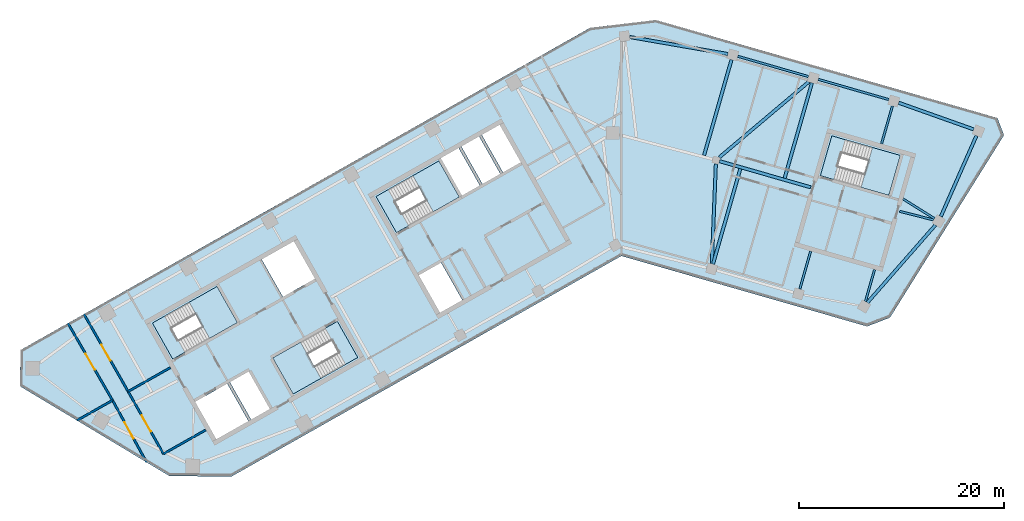
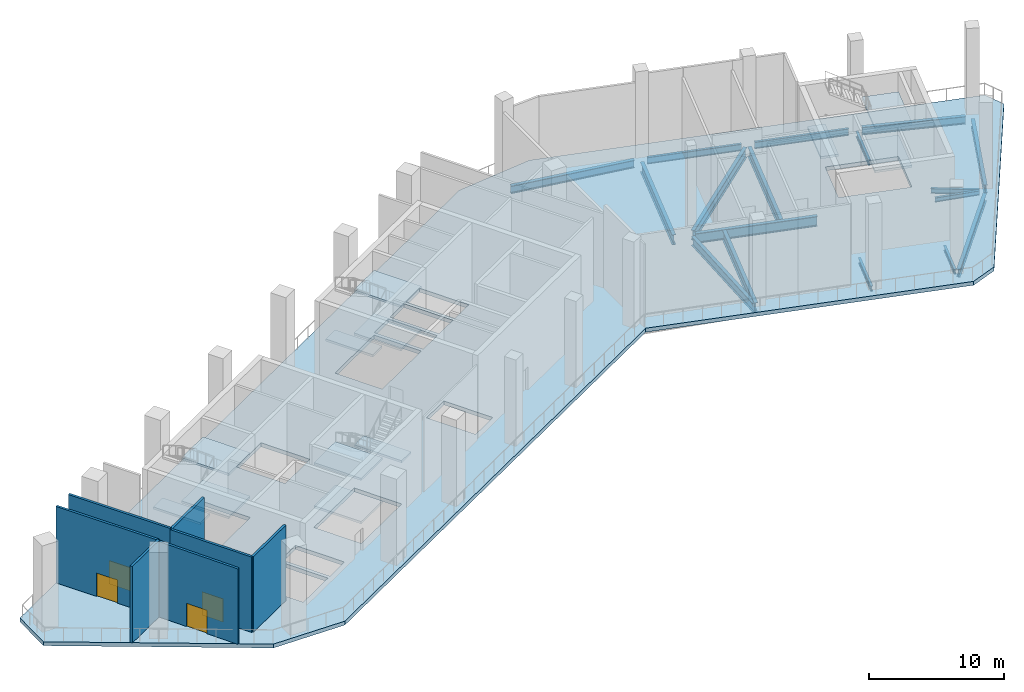
# One storey, part 2 of 8: 17 beams, 13 slabs, 7 walls, 4 doors, 4 openings, 4 elements without a shape of their own.
"""IFC4 building model written with IfcOpenShell, lengths in metres."""

import ifcopenshell
import ifcopenshell.guid

model = None  # the IFC model being written
_history = None  # IfcOwnerHistory: only IFC2X3 demands one
_inside = {}  # id of a spatial element -> (the spatial element, [elements in it])
_under = {}  # id of a project, library or spatial element -> (it, [spatial elements below it])
_declared = {}  # id of a project -> (the project, [libraries it declares])
_typed = {}  # id of a type object -> (the type object, [elements of that type])
_made_of = {}  # id of a material, layer set ... -> (it, [elements and type objects made of it])


def new_model(schema):
    """Start an empty IFC model of exactly this schema.

    Asked for "IFC4X3", IfcOpenShell would pick the latest addendum, in which some entities
    have other attributes; the version numbers below select the first issue.
    IFC2X3 requires an IfcOwnerHistory on every rooted entity: one is made here for all.
    """
    global model, _history
    if schema == "IFC4X3":
        model = ifcopenshell.file(schema_version=(4, 3, 0, 0))
    else:
        model = ifcopenshell.file(schema=schema)
    _inside.clear()
    _under.clear()
    _declared.clear()
    _typed.clear()
    _made_of.clear()
    _history = None
    if model.schema == "IFC2X3":
        org = make("IfcOrganization", Name="unknown")
        user = make(
            "IfcPersonAndOrganization",
            ThePerson=make("IfcPerson", FamilyName="unknown"),
            TheOrganization=org,
        )
        app = make(
            "IfcApplication",
            ApplicationDeveloper=org,
            Version="unknown",
            ApplicationFullName="unknown",
            ApplicationIdentifier="unknown",
        )
        _history = make(
            "IfcOwnerHistory",
            OwningUser=user,
            OwningApplication=app,
            ChangeAction="ADDED",
            CreationDate=0,
        )
    return model


def make(cls, **values):
    """One entity of the class cls with the attributes given. An attribute that is None is left unset."""
    return model.create_entity(
        cls, **{name: value for name, value in values.items() if value is not None}
    )


def rooted(cls, **values):
    """An entity with a GlobalId (a new one), such as an element, a storey or a relation."""
    return make(cls, GlobalId=ifcopenshell.guid.new(), OwnerHistory=_history, **values)


def si_unit(unit_type, name, prefix=None):
    """IfcSIUnit, for example si_unit("LENGTHUNIT", "METRE", prefix="MILLI")."""
    return make("IfcSIUnit", UnitType=unit_type, Prefix=prefix, Name=name)


def assignment(units):
    """IfcUnitAssignment: the units of a project."""
    return None if units is None else make("IfcUnitAssignment", Units=units)


def point(xyz):
    """IfcCartesianPoint."""
    return None if xyz is None else make("IfcCartesianPoint", Coordinates=xyz)


def direction(xyz):
    """IfcDirection."""
    return None if xyz is None else make("IfcDirection", DirectionRatios=xyz)


def frame(location, z_axis=None, x_axis=None):
    """IfcAxis2Placement3D, a coordinate frame: its origin and axes. An axis left out is left unset."""
    return make(
        "IfcAxis2Placement3D",
        Location=point(location),
        Axis=direction(z_axis),
        RefDirection=direction(x_axis),
    )


def frame_2d(location, x_axis=None):
    """IfcAxis2Placement2D, a coordinate frame in the plane: its origin and x axis."""
    return make(
        "IfcAxis2Placement2D", Location=point(location), RefDirection=direction(x_axis)
    )


def origin():
    """The frame at (0, 0, 0) with its axes left unset."""
    return frame((0.0, 0.0, 0.0))


def origin_2d():
    """The frame at (0, 0) in the plane with its x axis left unset."""
    return frame_2d((0.0, 0.0))


def place(relative_to, where):
    """IfcLocalPlacement: puts the frame where relative to a parent placement (None: the world)."""
    return make(
        "IfcLocalPlacement", PlacementRelTo=relative_to, RelativePlacement=where
    )


def context(
    kind, dimensions, precision=None, world=None, true_north=None, identifier=None
):
    """IfcGeometricRepresentationContext, for example the 3D "Model" context."""
    return make(
        "IfcGeometricRepresentationContext",
        ContextIdentifier=identifier,
        ContextType=kind,
        CoordinateSpaceDimension=dimensions,
        Precision=precision,
        WorldCoordinateSystem=world,
        TrueNorth=true_north,
    )


def subcontext(parent, identifier, kind, view, scale=None):
    """IfcGeometricRepresentationSubContext, for example "Body" below "Model"."""
    return make(
        "IfcGeometricRepresentationSubContext",
        ContextIdentifier=identifier,
        ContextType=kind,
        ParentContext=parent,
        TargetScale=scale,
        TargetView=view,
    )


def project(units=None, contexts=None):
    """IfcProject with its units and contexts."""
    return rooted(
        "IfcProject",
        Name="project",
        RepresentationContexts=contexts,
        UnitsInContext=assignment(units),
    )


def spatial(cls, under=None, at=None, **own):
    """A site, building, storey or space (cls), placed at a placement, below another one or the project."""
    s = rooted(cls, ObjectPlacement=at, **own)
    if under is not None:
        _under.setdefault(under.id(), (under, []))[1].append(s)
    return s


def polyline(points):
    """IfcPolyline through the points."""
    return make("IfcPolyline", Points=[point(p) for p in points])


def profile(cls, at=None, kind="AREA", **sizes):
    """A parametric profile (cls). Its sizes go by their IFC names, for example OverallWidth=200.0."""
    return make(cls, ProfileType=kind, Position=at, **sizes)


def rectangle(**sizes):
    """IfcRectangleProfileDef."""
    return profile("IfcRectangleProfileDef", **sizes)


def i_section(**sizes):
    """IfcIShapeProfileDef."""
    return profile("IfcIShapeProfileDef", **sizes)


def outline(outer, holes=None, kind="AREA"):
    """IfcArbitraryClosedProfileDef: a profile drawn as a closed curve; with holes, ...WithVoids."""
    if holes is None:
        return make("IfcArbitraryClosedProfileDef", ProfileType=kind, OuterCurve=outer)
    return make(
        "IfcArbitraryProfileDefWithVoids",
        ProfileType=kind,
        OuterCurve=outer,
        InnerCurves=holes,
    )


def extrude(swept, where, along, depth):
    """IfcExtrudedAreaSolid: the profile swept, set in the frame where, extruded along a direction by depth."""
    return make(
        "IfcExtrudedAreaSolid",
        SweptArea=swept,
        Position=where,
        ExtrudedDirection=direction(along),
        Depth=depth,
    )


def shape(context_of_items, identifier, shape_type, items):
    """IfcShapeRepresentation: the items that make up one representation, for example the "Body"."""
    return make(
        "IfcShapeRepresentation",
        ContextOfItems=context_of_items,
        RepresentationIdentifier=identifier,
        RepresentationType=shape_type,
        Items=items,
    )


def material(Name=None, Category=None):
    """IfcMaterial."""
    return make("IfcMaterial", Name=Name, Category=Category)


def layer(
    of_material, thickness, ventilated=None, Name=None, Category=None, Priority=None
):
    """IfcMaterialLayer: one layer of a wall or slab, of a material (None: an air gap)."""
    return make(
        "IfcMaterialLayer",
        Material=of_material,
        LayerThickness=thickness,
        IsVentilated=ventilated,
        Name=Name,
        Category=Category,
        Priority=Priority,
    )


def layer_set(layers, Name=None):
    """IfcMaterialLayerSet."""
    return make("IfcMaterialLayerSet", MaterialLayers=layers, LayerSetName=Name)


def material_profile(
    of_material, cross_section, Name=None, Category=None, Priority=None
):
    """IfcMaterialProfile: a cross section and its material."""
    return make(
        "IfcMaterialProfile",
        Name=Name,
        Material=of_material,
        Profile=cross_section,
        Priority=Priority,
        Category=Category,
    )


def profile_set(profiles, Name=None, composite=None):
    """IfcMaterialProfileSet."""
    return make(
        "IfcMaterialProfileSet",
        Name=Name,
        MaterialProfiles=profiles,
        CompositeProfile=composite,
    )


def made_of(thing, what):
    """Note that an element or type object is made of a material, layer set ...; save() writes the relation."""
    if what is not None:
        _made_of.setdefault(what.id(), (what, []))[1].append(thing)
    return thing


def type_object(cls, material=None, **own):
    """A type object (cls), such as IfcWallType, which elements share."""
    return made_of(rooted(cls, **own), material)


def element(
    cls,
    number,
    at=None,
    inside=None,
    cuts=None,
    type_object=None,
    material=None,
    context=None,
    identifier="Body",
    shape_type=None,
    held_by="IfcProductDefinitionShape",
    body=None,
    shapes=None,
    **own,
):
    """One element of the class cls, such as IfcWall. Its Tag is "e" and its number.

    at: its placement. inside: the storey or other place that contains it. cuts: it is an
    opening in that element (IfcRelVoidsElement). A single representation is given by context,
    identifier, shape_type and body (its items); several are given by shapes. held_by: the class
    of the entity that holds the representations. save() writes the other relations.
    """
    e = rooted(cls, Tag="e%d" % number, ObjectPlacement=at, **own)
    if body is not None:
        shapes = [shape(context, identifier, shape_type, body)]
    if shapes is not None:
        e.Representation = make(held_by, Representations=shapes)
    if inside is not None:
        _inside.setdefault(inside.id(), (inside, []))[1].append(e)
    if cuts is not None:
        rooted(
            "IfcRelVoidsElement", RelatingBuildingElement=cuts, RelatedOpeningElement=e
        )
    if type_object is not None:
        _typed.setdefault(type_object.id(), (type_object, []))[1].append(e)
    return made_of(e, material)


def fill(opening, filler):
    """IfcRelFillsElement: the door or window that sits in an opening."""
    return rooted(
        "IfcRelFillsElement",
        RelatingOpeningElement=opening,
        RelatedBuildingElement=filler,
    )


def aggregate(whole, parts):
    """IfcRelAggregates: a whole, such as a stair, and the parts it consists of."""
    return rooted("IfcRelAggregates", RelatingObject=whole, RelatedObjects=parts)


def save(model, path):
    """Write the relations noted so far, then the file.

    IfcRelAggregates (storeys below a building ...), IfcRelContainedInSpatialStructure (elements
    in a storey), IfcRelDefinesByType, IfcRelAssociatesMaterial and IfcRelDeclares: one each for
    every whole, place, type object, material and project.
    """
    for whole, parts in _under.values():
        aggregate(whole, parts)
    for where, things in _inside.values():
        rooted(
            "IfcRelContainedInSpatialStructure",
            RelatedElements=things,
            RelatingStructure=where,
        )
    for kind, things in _typed.values():
        rooted("IfcRelDefinesByType", RelatedObjects=things, RelatingType=kind)
    for what, things in _made_of.values():
        rooted("IfcRelAssociatesMaterial", RelatedObjects=things, RelatingMaterial=what)
    for by, libraries in _declared.values():
        rooted("IfcRelDeclares", RelatingContext=by, RelatedDefinitions=libraries)
    model.write(path)


model = new_model("IFC4")

# Units and contexts
model_context = context("Model", 3, precision=1e-05, world=origin(), true_north=direction((0.0, 1.0)))
body_context = subcontext(model_context, "Body", "Model", "MODEL_VIEW")
ifc_project = project(units=[si_unit("LENGTHUNIT", "METRE"), si_unit("AREAUNIT", "SQUARE_METRE"), si_unit("VOLUMEUNIT", "CUBIC_METRE"), si_unit("PLANEANGLEUNIT", "RADIAN"), si_unit("MASSUNIT", "GRAM", prefix="KILO")], contexts=[model_context])

# Site, building, storey
site_placement = place(None, origin())
site = spatial("IfcSite", under=ifc_project, at=site_placement, CompositionType="ELEMENT")
building_placement = place(site_placement, origin())
building = spatial("IfcBuilding", under=site, at=building_placement, Name="Binnacle Exchange Tower", CompositionType="ELEMENT")
storey_placement = place(building_placement, frame((0.0, 0.0, 230.89990234375)))
storey = spatial("IfcBuildingStorey", under=building, at=storey_placement, Name="L51", CompositionType="ELEMENT", Elevation=230.89990234375)

# Beams
ifc_material_1 = material(Name="Steel S355 (SHN355)", Category="steel")
ifc_material_profile_1 = material_profile(ifc_material_1, i_section(OverallWidth=0.201904296875, OverallDepth=0.612060546875, WebThickness=0.012939453125, FlangeThickness=0.02294921875, FilletRadius=0.02197265625, at=origin_2d()), Name="H 612x202x13x23")
ifc_profile_set_1 = profile_set([ifc_material_profile_1], Name="Steel S355 (SHN355)")
beam_type_1 = type_object("IfcBeamType", Name="Edge girder H 612x202x13x23 Steel S355 (SHN355)", PredefinedType="SPANDREL", material=ifc_profile_set_1)
beam_1_placement = place(storey_placement, frame((18.265625, 65.513916015625, -0.656005859375), z_axis=(-0.961255050864, 0.275660528891, 0.0), x_axis=(-0.275660528891, -0.961255050864, 0.0)))
element("IfcBeam", 1, at=beam_1_placement, inside=storey, type_object=beam_type_1, Name="S:BM:edge:L51:029", PredefinedType="SPANDREL", context=body_context, shape_type="SweptSolid", body=[
    extrude(i_section(OverallWidth=0.201904296875, OverallDepth=0.612060546875, WebThickness=0.012939453125, FlangeThickness=0.02294921875, FilletRadius=0.02197265625, at=origin_2d()), origin(), (0.0, 0.0, 1.0), 7.1728515625),
])
beam_2_placement = place(storey_placement, frame((26.1220703125, 63.26123046875, -0.656005859375), z_axis=(-0.96126665508, 0.275620060647, 0.0), x_axis=(-0.275620060647, -0.96126665508, 0.0)))
element("IfcBeam", 2, at=beam_2_placement, inside=storey, type_object=beam_type_1, Name="S:BM:edge:L51:031", PredefinedType="SPANDREL", context=body_context, shape_type="SweptSolid", body=[
    extrude(i_section(OverallWidth=0.201904296875, OverallDepth=0.612060546875, WebThickness=0.012939453125, FlangeThickness=0.02294921875, FilletRadius=0.02197265625, at=origin_2d()), origin(), (0.0, 0.0, 1.0), 7.173095703125),
])
ifc_material_profile_2 = material_profile(ifc_material_1, i_section(OverallWidth=0.300048828125, OverallDepth=0.699951171875, WebThickness=0.012939453125, FlangeThickness=0.02392578125, FilletRadius=0.028076171875, at=origin_2d()), Name="H 700x300x13x24")
ifc_profile_set_2 = profile_set([ifc_material_profile_2], Name="Steel S355 (SHN355)")
beam_type_2 = type_object("IfcBeamType", Name="Edge girder H 700x300x13x24 Steel S355 (SHN355)", PredefinedType="SPANDREL", material=ifc_profile_set_2)
beam_3_placement = place(storey_placement, frame((10.39453125, 67.71484375, -0.699951171875), z_axis=(-0.985315512383, 0.170743494921, 0.0), x_axis=(-0.170743494921, -0.985315512383, 0.0)))
element("IfcBeam", 3, at=beam_3_placement, inside=storey, type_object=beam_type_2, Name="S:BM:edge:L51:027", PredefinedType="SPANDREL", context=body_context, shape_type="SweptSolid", body=[
    extrude(i_section(OverallWidth=0.300048828125, OverallDepth=0.699951171875, WebThickness=0.012939453125, FlangeThickness=0.02392578125, FilletRadius=0.028076171875, at=origin_2d()), origin(), (0.0, 0.0, 1.0), 9.72314453125),
])
beam_4_placement = place(storey_placement, frame((31.193359375, 51.848388671875, -0.699951171875), z_axis=(0.403459457176, 0.914997522628, 0.0), x_axis=(-0.914997522628, 0.403459457176, 0.0)))
element("IfcBeam", 4, at=beam_4_placement, inside=storey, type_object=beam_type_2, Name="S:BM:edge:L51:032", PredefinedType="SPANDREL", context=body_context, shape_type="SweptSolid", body=[
    extrude(i_section(OverallWidth=0.300048828125, OverallDepth=0.699951171875, WebThickness=0.012939453125, FlangeThickness=0.02392578125, FilletRadius=0.028076171875, at=origin_2d()), origin(), (0.0, 0.0, 1.0), 8.61328125),
])
beam_5_placement = place(storey_placement, frame((34.3984375, 60.3544921875, -0.699951171875), z_axis=(-0.942323270608, 0.334704128553, 0.0), x_axis=(-0.334704128553, -0.942323270608, 0.0)))
element("IfcBeam", 5, at=beam_5_placement, inside=storey, type_object=beam_type_2, Name="S:BM:edge:L51:033", PredefinedType="SPANDREL", context=body_context, shape_type="SweptSolid", body=[
    extrude(i_section(OverallWidth=0.300048828125, OverallDepth=0.699951171875, WebThickness=0.012939453125, FlangeThickness=0.02392578125, FilletRadius=0.028076171875, at=origin_2d()), origin(), (0.0, 0.0, 1.0), 7.77197265625),
])
ifc_material_profile_3 = material_profile(ifc_material_1, i_section(OverallWidth=0.302001953125, OverallDepth=0.7080078125, WebThickness=0.014892578125, FlangeThickness=0.028076171875, FilletRadius=0.028076171875, at=origin_2d()), Name="H 708x302x15x28")
ifc_profile_set_3 = profile_set([ifc_material_profile_3], Name="Steel S355 (SHN355)")
beam_type_3 = type_object("IfcBeamType", Name="Edge girder H 708x302x15x28 Steel S355 (SHN355)", PredefinedType="SPANDREL", material=ifc_profile_set_3)
beam_6_placement = place(storey_placement, frame((24.026123046875, 43.44580078125, -0.703857421875), z_axis=(0.659336218273, 0.751848223562, 0.0), x_axis=(-0.751848223562, 0.659336218273, 0.0)))
element("IfcBeam", 6, at=beam_6_placement, inside=storey, type_object=beam_type_3, Name="S:BM:edge:L51:030", PredefinedType="SPANDREL", context=body_context, shape_type="SweptSolid", body=[
    extrude(i_section(OverallWidth=0.302001953125, OverallDepth=0.7080078125, WebThickness=0.014892578125, FlangeThickness=0.028076171875, FilletRadius=0.028076171875, at=origin_2d()), origin(), (0.0, 0.0, 1.0), 10.0546875),
])
ifc_material_profile_4 = material_profile(ifc_material_1, i_section(OverallWidth=0.199951171875, OverallDepth=0.449951171875, WebThickness=0.009033203125, FlangeThickness=0.013916015625, FilletRadius=0.01806640625, at=origin_2d()), Name="H 450x200x9x14")
ifc_profile_set_4 = profile_set([ifc_material_profile_4], Name="Steel S355 (SHN355)")
beam_type_4 = type_object("IfcBeamType", Name="Floor beam H 450x200x9x14 Steel S355 (SHN355)", PredefinedType="BEAM", material=ifc_profile_set_4)
beam_7_placement = place(storey_placement, frame((23.832275390625, 43.55810546875, -0.574951171875), z_axis=(0.275607869103, 0.961270150628, 0.0), x_axis=(-0.961270150628, 0.275607869103, 0.0)))
element("IfcBeam", 7, at=beam_7_placement, inside=storey, type_object=beam_type_4, Name="S:BM:cross:L51:051", PredefinedType="BEAM", context=body_context, shape_type="SweptSolid", body=[
    extrude(i_section(OverallWidth=0.199951171875, OverallDepth=0.449951171875, WebThickness=0.009033203125, FlangeThickness=0.013916015625, FilletRadius=0.01806640625, at=origin_2d()), origin(), (0.0, 0.0, 1.0), 3.23583984375),
])
beam_8_placement = place(storey_placement, frame((30.5654296875, 51.6513671875, -0.574951171875), z_axis=(-0.848078408173, 0.529870751779, 0.0), x_axis=(-0.529870751779, -0.848078408173, 0.0)))
element("IfcBeam", 8, at=beam_8_placement, inside=storey, type_object=beam_type_4, Name="S:BM:cross:L51:053", PredefinedType="BEAM", context=body_context, shape_type="SweptSolid", body=[
    extrude(i_section(OverallWidth=0.199951171875, OverallDepth=0.449951171875, WebThickness=0.009033203125, FlangeThickness=0.013916015625, FilletRadius=0.01806640625, at=origin_2d()), origin(), (0.0, 0.0, 1.0), 3.59521484375),
])
ifc_material_profile_5 = material_profile(ifc_material_1, i_section(OverallWidth=0.199951171875, OverallDepth=0.5, WebThickness=0.010009765625, FlangeThickness=0.01611328125, FilletRadius=0.02001953125, at=origin_2d()), Name="H 500x200x10x16")
ifc_profile_set_5 = profile_set([ifc_material_profile_5], Name="Steel S355 (SHN355)")
beam_type_5 = type_object("IfcBeamType", Name="Floor beam H 500x200x10x16 Steel S355 (SHN355)", PredefinedType="BEAM", material=ifc_profile_set_5)
for number, where, z_axis, x_axis, name in (
    (9, (17.426025390625, 44.771728515625, -0.599853515625), (0.27564586602, 0.961259255636, 0.0), (-0.961259255636, 0.27564586602, 0.0), "S:BM:cross:L51:049"),
    (10, (26.46484375, 62.642822265625, -0.599853515625), (-0.27564586602, -0.961259255636, 0.0), (0.961259255636, -0.27564586602, 0.0), "S:BM:cross:L51:052"),
):
    element("IfcBeam", number, at=place(storey_placement, frame(where, z_axis=z_axis, x_axis=x_axis)), inside=storey, type_object=beam_type_5, Name=name, PredefinedType="BEAM", context=body_context, shape_type="SweptSolid", body=[
        extrude(i_section(OverallWidth=0.199951171875, OverallDepth=0.5, WebThickness=0.010009765625, FlangeThickness=0.01611328125, FilletRadius=0.02001953125, at=origin_2d()), origin(), (0.0, 0.0, 1.0), 3.835205078125),
    ])
ifc_material_profile_6 = material_profile(ifc_material_1, i_section(OverallWidth=0.302001953125, OverallDepth=0.912109375, WebThickness=0.01806640625, FlangeThickness=0.033935546875, FilletRadius=0.028076171875, at=origin_2d()), Name="H 912x302x18x34")
ifc_profile_set_6 = profile_set([ifc_material_profile_6], Name="Steel S355 (SHN355)")
beam_type_6 = type_object("IfcBeamType", Name="Floor beam H 912x302x18x34 Steel S355 (SHN355)", PredefinedType="BEAM", material=ifc_profile_set_6)
beam_9_placement = place(storey_placement, frame((8.947265625, 47.202880859375, -0.805908203125), z_axis=(0.275643212873, 0.961260016435, 0.0), x_axis=(-0.961260016435, 0.275643212873, 0.0)))
element("IfcBeam", 11, at=beam_9_placement, inside=storey, type_object=beam_type_6, Name="S:BM:cross:L51:047", PredefinedType="BEAM", context=body_context, shape_type="SweptSolid", body=[
    extrude(i_section(OverallWidth=0.302001953125, OverallDepth=0.912109375, WebThickness=0.01806640625, FlangeThickness=0.033935546875, FilletRadius=0.028076171875, at=origin_2d()), origin(), (0.0, 0.0, 1.0), 9.685302734375),
])
beam_10_placement = place(storey_placement, frame((10.752197265625, 67.1484375, -0.805908203125), z_axis=(-0.275623948616, -0.96126554029, 0.0), x_axis=(0.96126554029, -0.275623948616, 0.0)))
element("IfcBeam", 12, at=beam_10_placement, inside=storey, type_object=beam_type_6, Name="S:BM:cross:L51:048", PredefinedType="BEAM", context=body_context, shape_type="SweptSolid", body=[
    extrude(i_section(OverallWidth=0.302001953125, OverallDepth=0.912109375, WebThickness=0.01806640625, FlangeThickness=0.033935546875, FilletRadius=0.028076171875, at=origin_2d()), origin(), (0.0, 0.0, 1.0), 9.71337890625),
])
beam_11_placement = place(storey_placement, frame((18.6083984375, 64.8955078125, -0.805908203125), z_axis=(-0.275626599208, -0.961264780281, 0.0), x_axis=(0.961264780281, -0.275626599208, 0.0)))
element("IfcBeam", 13, at=beam_11_placement, inside=storey, type_object=beam_type_6, Name="S:BM:cross:L51:050", PredefinedType="BEAM", context=body_context, shape_type="SweptSolid", body=[
    extrude(i_section(OverallWidth=0.302001953125, OverallDepth=0.912109375, WebThickness=0.01806640625, FlangeThickness=0.033935546875, FilletRadius=0.028076171875, at=origin_2d()), origin(), (0.0, 0.0, 1.0), 9.68505859375),
])
ifc_material_profile_7 = material_profile(ifc_material_1, i_section(OverallWidth=0.199951171875, OverallDepth=0.39990234375, WebThickness=0.008056640625, FlangeThickness=0.012939453125, FilletRadius=0.01611328125, at=origin_2d()), Name="H 400x200x8x13")
ifc_profile_set_7 = profile_set([ifc_material_profile_7], Name="Steel S355 (SHN355)")
beam_type_7 = type_object("IfcBeamType", Name="Spine girder H 400x200x8x13 Steel S355 (SHN355)", PredefinedType="BEAM", material=ifc_profile_set_7)
beam_12_placement = place(storey_placement, frame((27.17138671875, 52.35400390625, -0.5498046875), z_axis=(0.969354959992, -0.245664326957, 0.0), x_axis=(0.245664326957, 0.969354959992, 0.0)))
element("IfcBeam", 14, at=beam_12_placement, inside=storey, type_object=beam_type_7, Name="S:BM:spine:L51:010", PredefinedType="BEAM", context=body_context, shape_type="SweptSolid", body=[
    extrude(i_section(OverallWidth=0.199951171875, OverallDepth=0.39990234375, WebThickness=0.008056640625, FlangeThickness=0.012939453125, FilletRadius=0.01611328125, at=origin_2d()), origin(), (0.0, 0.0, 1.0), 3.41357421875),
])
ifc_material_profile_8 = material_profile(ifc_material_1, i_section(OverallWidth=0.302001953125, OverallDepth=0.80810546875, WebThickness=0.01611328125, FlangeThickness=0.030029296875, FilletRadius=0.028076171875, at=origin_2d()), Name="H 808x302x16x30")
ifc_profile_set_8 = profile_set([ifc_material_profile_8], Name="Steel S355 (SHN355)")
beam_type_8 = type_object("IfcBeamType", Name="Spine girder H 808x302x16x30 Steel S355 (SHN355)", PredefinedType="BEAM", material=ifc_profile_set_8)
beam_13_placement = place(storey_placement, frame((9.226318359375, 56.990234375, -0.75390625), z_axis=(-0.040566314933, -0.999176848257, 0.0), x_axis=(0.999176848257, -0.040566314933, 0.0)))
element("IfcBeam", 15, at=beam_13_placement, inside=storey, type_object=beam_type_8, Name="S:BM:spine:L51:007", PredefinedType="BEAM", context=body_context, shape_type="SweptSolid", body=[
    extrude(i_section(OverallWidth=0.302001953125, OverallDepth=0.80810546875, WebThickness=0.01611328125, FlangeThickness=0.030029296875, FilletRadius=0.028076171875, at=origin_2d()), origin(), (0.0, 0.0, 1.0), 9.76171875),
])
ifc_material_profile_9 = material_profile(ifc_material_1, i_section(OverallWidth=0.302001953125, OverallDepth=0.912109375, WebThickness=0.01806640625, FlangeThickness=0.033935546875, FilletRadius=0.028076171875, at=origin_2d()), Name="H 912x302x18x34")
ifc_profile_set_9 = profile_set([ifc_material_profile_9], Name="Steel S355 (SHN355)")
beam_type_9 = type_object("IfcBeamType", Name="Spine girder H 912x302x18x34 Steel S355 (SHN355)", PredefinedType="BEAM", material=ifc_profile_set_9)
beam_14_placement = place(storey_placement, frame((9.562744140625, 57.6220703125, -0.805908203125), z_axis=(0.764068797706, 0.645134770704, 0.0), x_axis=(-0.645134770704, 0.764068797706, 0.0)))
element("IfcBeam", 16, at=beam_14_placement, inside=storey, type_object=beam_type_9, Name="S:BM:spine:L51:008", PredefinedType="BEAM", context=body_context, shape_type="SweptSolid", body=[
    extrude(i_section(OverallWidth=0.302001953125, OverallDepth=0.912109375, WebThickness=0.01806640625, FlangeThickness=0.033935546875, FilletRadius=0.028076171875, at=origin_2d()), origin(), (0.0, 0.0, 1.0), 11.417236328125),
])
beam_15_placement = place(storey_placement, frame((9.577392578125, 57.253662109375, -0.805908203125), z_axis=(0.961262936931, -0.275633027924, 0.0), x_axis=(0.275633027924, 0.961262936931, 0.0)))
element("IfcBeam", 17, at=beam_15_placement, inside=storey, type_object=beam_type_9, Name="S:BM:spine:L51:009", PredefinedType="BEAM", context=body_context, shape_type="SweptSolid", body=[
    extrude(i_section(OverallWidth=0.302001953125, OverallDepth=0.912109375, WebThickness=0.01806640625, FlangeThickness=0.033935546875, FilletRadius=0.028076171875, at=origin_2d()), origin(), (0.0, 0.0, 1.0), 9.26318359375),
])

# Slab
ifc_material_2 = material(Name="Concrete C35/45", Category="concrete")
ifc_layer_1 = layer(ifc_material_2, 0.35009765625)
ifc_layer_set_1 = layer_set([ifc_layer_1], Name="Floor slab 350 Concrete C35/45")
slab_type_1 = type_object("IfcSlabType", Name="Floor slab 350 Concrete C35/45", PredefinedType="FLOOR", material=ifc_layer_set_1)
slab_1_placement = place(storey_placement, frame((0.0, 0.0, -0.349853515625)))
element("IfcSlab", 18, at=slab_1_placement, inside=storey, type_object=slab_type_1, Name="S:SL:L51:01", PredefinedType="FLOOR", context=body_context, shape_type="SweptSolid", body=[
    extrude(outline(polyline([(-58.716064453125, 35.280029296875), (-58.669921875, 38.80615234375), (-3.046142578125, 70.276611328125), (3.364501953125, 71.035400390625), (36.71240234375, 61.472900390625), (37.359375, 59.787353515625), (26.23095703125, 41.978515625), (23.994140625, 41.119873046875), (0.0, 48.0), (-38.097900390625, 26.4453125), (-44.14404296875, 26.5244140625), (-58.716064453125, 35.280029296875)]), holes=[polyline([(-38.4794921875, 35.529296875), (-41.61279296875, 33.756591796875), (-39.544677734375, 30.10107421875), (-36.411376953125, 31.873779296875), (-38.4794921875, 35.529296875)]), polyline([(-36.390625, 36.711181640625), (-38.21826171875, 35.677001953125), (-36.150146484375, 32.021484375), (-34.322509765625, 33.0556640625), (-36.390625, 36.711181640625)]), polyline([(-32.04638671875, 34.515625), (-26.9287109375, 37.4111328125), (-28.923095703125, 40.93603515625), (-34.040771484375, 38.04052734375), (-32.04638671875, 34.515625)]), polyline([(-37.486572265625, 41.4912109375), (-39.480712890625, 45.01611328125), (-44.598388671875, 42.12060546875), (-42.604248046875, 38.595703125), (-37.486572265625, 41.4912109375)]), polyline([(-29.914306640625, 45.775390625), (-31.982666015625, 49.430908203125), (-35.115966796875, 47.657958984375), (-33.047607421875, 44.00244140625), (-29.914306640625, 45.775390625)]), polyline([(-17.81689453125, 57.27294921875), (-22.760498046875, 54.47607421875), (-20.76611328125, 50.950927734375), (-15.822509765625, 53.748046875), (-17.81689453125, 57.27294921875)]), polyline([(-15.53076171875, 43.6875), (-17.598876953125, 47.343017578125), (-19.77490234375, 46.11181640625), (-17.70654296875, 42.456298828125), (-15.53076171875, 43.6875)]), polyline([(-13.82080078125, 54.880615234375), (-15.888916015625, 58.5361328125), (-17.629638671875, 57.55126953125), (-15.5615234375, 53.895751953125), (-13.82080078125, 54.880615234375)]), polyline([(27.227783203125, 57.810302734375), (21.864013671875, 59.348388671875), (20.74755859375, 55.455078125), (26.111328125, 53.9169921875), (27.227783203125, 57.810302734375)]), polyline([(-11.819091796875, 56.01318359375), (-13.88720703125, 59.668701171875), (-15.6279296875, 58.683837890625), (-13.559814453125, 55.0283203125), (-11.819091796875, 56.01318359375)]), polyline([(-9.817138671875, 57.145751953125), (-11.885498046875, 60.80126953125), (-13.626220703125, 59.81640625), (-11.557861328125, 56.160888671875), (-9.817138671875, 57.145751953125)])]), origin(), (0.0, 0.0, 1.0), 0.349853515625),
])

# Stair, slabs
stair_type = type_object("IfcStairType", Name="STAIR 44 RISERS 177", PredefinedType="HALF_TURN_STAIR", material=ifc_material_2)
stair_1_placement = place(storey_placement, origin())
stair_1 = element("IfcStair", 19, at=stair_1_placement, inside=storey, type_object=stair_type, Name="L51 Escape stair A1", PredefinedType="HALF_TURN_STAIR")
ifc_layer_2 = layer(ifc_material_2, 0.199951171875)
ifc_layer_set_2 = layer_set([ifc_layer_2], Name="STAIR LANDING 200")
slab_type_2 = type_object("IfcSlabType", Name="STAIR LANDING 200", PredefinedType="LANDING", material=ifc_layer_set_2)
slab_2_placement = place(storey_placement, frame((0.0, 0.0, 1.75)))
slab_2 = element("IfcSlab", 20, at=slab_2_placement, type_object=slab_type_2, Name="STA1 landing 1", PredefinedType="LANDING", context=body_context, shape_type="SweptSolid", body=[
    extrude(outline(polyline([(-40.2021484375, 39.954833984375), (-37.486572265625, 41.4912109375), (-39.48095703125, 45.01611328125), (-42.1962890625, 43.479736328125), (-40.2021484375, 39.954833984375)])), origin(), (0.0, 0.0, 1.0), 0.2001953125),
])
slab_3_placement = place(storey_placement, frame((0.0, 0.0, 3.7001953125)))
slab_3 = element("IfcSlab", 21, at=slab_3_placement, type_object=slab_type_2, Name="STA1 landing 2", PredefinedType="LANDING", context=body_context, shape_type="SweptSolid", body=[
    extrude(outline(polyline([(-43.796630859375, 37.921142578125), (-42.604248046875, 38.595703125), (-44.5986328125, 42.12060546875), (-45.791015625, 41.446044921875), (-43.796630859375, 37.921142578125)])), origin(), (0.0, 0.0, 1.0), 0.199951171875),
])
slab_4_placement = place(storey_placement, frame((0.0, 0.0, 5.650146484375)))
slab_4 = element("IfcSlab", 22, at=slab_4_placement, type_object=slab_type_2, Name="STA1 landing 3", PredefinedType="LANDING", context=body_context, shape_type="SweptSolid", body=[
    extrude(outline(polyline([(-40.2021484375, 39.954833984375), (-37.486572265625, 41.4912109375), (-39.48095703125, 45.01611328125), (-42.1962890625, 43.479736328125), (-40.2021484375, 39.954833984375)])), origin(), (0.0, 0.0, 1.0), 0.199951171875),
])
aggregate(stair_1, [slab_2, slab_3, slab_4])

stair_2_placement = place(storey_placement, origin())
stair_2 = element("IfcStair", 23, at=stair_2_placement, inside=storey, type_object=stair_type, Name="L51 Escape stair A2", PredefinedType="HALF_TURN_STAIR")
slab_5_placement = place(storey_placement, frame((0.0, 0.0, 1.75)))
slab_5 = element("IfcSlab", 24, at=slab_5_placement, type_object=slab_type_2, Name="STA2 landing 1", PredefinedType="LANDING", context=body_context, shape_type="SweptSolid", body=[
    extrude(outline(polyline([(-31.3251953125, 39.576904296875), (-34.040771484375, 38.04052734375), (-32.04638671875, 34.515625), (-29.330810546875, 36.052001953125), (-31.3251953125, 39.576904296875)])), origin(), (0.0, 0.0, 1.0), 0.2001953125),
])
slab_6_placement = place(storey_placement, frame((0.0, 0.0, 3.7001953125)))
slab_6 = element("IfcSlab", 25, at=slab_6_placement, type_object=slab_type_2, Name="STA2 landing 2", PredefinedType="LANDING", context=body_context, shape_type="SweptSolid", body=[
    extrude(outline(polyline([(-27.730712890625, 41.610595703125), (-28.923095703125, 40.93603515625), (-26.9287109375, 37.4111328125), (-25.736328125, 38.085693359375), (-27.730712890625, 41.610595703125)])), origin(), (0.0, 0.0, 1.0), 0.199951171875),
])
slab_7_placement = place(storey_placement, frame((0.0, 0.0, 5.650146484375)))
slab_7 = element("IfcSlab", 26, at=slab_7_placement, type_object=slab_type_2, Name="STA2 landing 3", PredefinedType="LANDING", context=body_context, shape_type="SweptSolid", body=[
    extrude(outline(polyline([(-31.3251953125, 39.576904296875), (-34.040771484375, 38.04052734375), (-32.04638671875, 34.515625), (-29.330810546875, 36.052001953125), (-31.3251953125, 39.576904296875)])), origin(), (0.0, 0.0, 1.0), 0.199951171875),
])
aggregate(stair_2, [slab_5, slab_6, slab_7])

stair_3_placement = place(storey_placement, origin())
stair_3 = element("IfcStair", 27, at=stair_3_placement, inside=storey, type_object=stair_type, Name="L51 Escape stair C1", PredefinedType="HALF_TURN_STAIR")
slab_8_placement = place(storey_placement, frame((0.0, 0.0, 1.75)))
slab_8 = element("IfcSlab", 28, at=slab_8_placement, type_object=slab_type_2, Name="STC1 landing 1", PredefinedType="LANDING", context=body_context, shape_type="SweptSolid", body=[
    extrude(outline(polyline([(-18.364013671875, 52.31005859375), (-15.822509765625, 53.748046875), (-17.81689453125, 57.27294921875), (-20.3583984375, 55.8349609375), (-18.364013671875, 52.31005859375)])), origin(), (0.0, 0.0, 1.0), 0.2001953125),
])
slab_9_placement = place(storey_placement, frame((0.0, 0.0, 3.7001953125)))
slab_9 = element("IfcSlab", 29, at=slab_9_placement, type_object=slab_type_2, Name="STC1 landing 2", PredefinedType="LANDING", context=body_context, shape_type="SweptSolid", body=[
    extrude(outline(polyline([(-21.95849609375, 50.2763671875), (-20.76611328125, 50.950927734375), (-22.760498046875, 54.47607421875), (-23.952880859375, 53.80126953125), (-21.95849609375, 50.2763671875)])), origin(), (0.0, 0.0, 1.0), 0.199951171875),
])
slab_10_placement = place(storey_placement, frame((0.0, 0.0, 5.650146484375)))
slab_10 = element("IfcSlab", 30, at=slab_10_placement, type_object=slab_type_2, Name="STC1 landing 3", PredefinedType="LANDING", context=body_context, shape_type="SweptSolid", body=[
    extrude(outline(polyline([(-18.364013671875, 52.31005859375), (-15.822509765625, 53.748046875), (-17.81689453125, 57.27294921875), (-20.3583984375, 55.8349609375), (-18.364013671875, 52.31005859375)])), origin(), (0.0, 0.0, 1.0), 0.199951171875),
])
aggregate(stair_3, [slab_8, slab_9, slab_10])

stair_4_placement = place(storey_placement, origin())
stair_4 = element("IfcStair", 31, at=stair_4_placement, inside=storey, type_object=stair_type, Name="L51 Escape stair D1", PredefinedType="HALF_TURN_STAIR")
slab_11_placement = place(storey_placement, frame((0.0, 0.0, 1.75)))
slab_11 = element("IfcSlab", 32, at=slab_11_placement, type_object=slab_type_2, Name="STD1 landing 1", PredefinedType="LANDING", context=body_context, shape_type="SweptSolid", body=[
    extrude(outline(polyline([(23.400634765625, 54.6943359375), (26.111328125, 53.917236328125), (27.227783203125, 57.810302734375), (24.516845703125, 58.587646484375), (23.400634765625, 54.6943359375)])), origin(), (0.0, 0.0, 1.0), 0.2001953125),
])
slab_12_placement = place(storey_placement, frame((0.0, 0.0, 3.7001953125)))
slab_12 = element("IfcSlab", 33, at=slab_12_placement, type_object=slab_type_2, Name="STD1 landing 2", PredefinedType="LANDING", context=body_context, shape_type="SweptSolid", body=[
    extrude(outline(polyline([(19.4306640625, 55.832763671875), (20.74755859375, 55.455078125), (21.86376953125, 59.348388671875), (20.546875, 59.725830078125), (19.4306640625, 55.832763671875)])), origin(), (0.0, 0.0, 1.0), 0.199951171875),
])
slab_13_placement = place(storey_placement, frame((0.0, 0.0, 5.650146484375)))
slab_13 = element("IfcSlab", 34, at=slab_13_placement, type_object=slab_type_2, Name="STD1 landing 3", PredefinedType="LANDING", context=body_context, shape_type="SweptSolid", body=[
    extrude(outline(polyline([(23.400634765625, 54.6943359375), (26.111328125, 53.917236328125), (27.227783203125, 57.810302734375), (24.516845703125, 58.587646484375), (23.400634765625, 54.6943359375)])), origin(), (0.0, 0.0, 1.0), 0.199951171875),
])
aggregate(stair_4, [slab_11, slab_12, slab_13])

# Wall, opening, door
ifc_material_3 = material(Name="Masonry block wall", Category="masonry")
ifc_layer_3 = layer(ifc_material_3, 0.199951171875)
ifc_layer_set_3 = layer_set([ifc_layer_3], Name="Fire wall - block 200")
wall_type = type_object("IfcWallType", Name="Fire wall - block 200", PredefinedType="PARTITIONING", material=ifc_layer_set_3)
wall_1_placement = place(storey_placement, frame((-54.035888671875, 41.427978515625, 0.0), z_axis=(0.0, 0.0, 1.0), x_axis=(0.500903434797, -0.865503176775, 0.0)))
wall_1 = element("IfcWall", 35, at=wall_1_placement, inside=storey, type_object=wall_type, Name="Partition W01", PredefinedType="PARTITIONING", context=body_context, shape_type="SweptSolid", body=[
    extrude(rectangle(XDim=8.6943359375, YDim=0.199951171875, at=frame_2d((4.34716796875, 0.0))), origin(), (0.0, 0.0, 1.0), 6.89404296875),
])
opening_1_placement = place(wall_1_placement, frame((3.449951171875, 0.0, 0.0)))
opening_1 = element("IfcOpeningElement", 36, at=opening_1_placement, cuts=wall_1, Name="Opening DL51-02", PredefinedType="OPENING", context=body_context, shape_type="SweptSolid", body=[
    extrude(rectangle(XDim=1.800048828125, YDim=2.10009765625, at=frame_2d((0.89990234375, 1.050048828125))), frame((0.0, 0.10986328125, 0.0), z_axis=(0.0, -1.0, 0.0), x_axis=(1.0, 0.0, 0.0)), (0.0, 0.0, 1.0), 0.219970703125),
])
ifc_material_4 = material(Name="Steel door leaf", Category="steel")
door_type = type_object("IfcDoorType", Name="Fire door 1800", OperationType="NOTDEFINED", PredefinedType="DOOR", material=ifc_material_4)
door_1_placement = place(opening_1_placement, frame((1.800048828125, 0.0, 0.0), z_axis=(0.0, 0.0, 1.0), x_axis=(-1.0, 0.0, 0.0)))
door_1 = element("IfcDoor", 37, at=door_1_placement, inside=storey, type_object=door_type, Name="Door DL51-02", OperationType="DOUBLE_DOOR_SINGLE_SWING", OverallHeight=2.10009765625, OverallWidth=1.800048828125, PredefinedType="DOOR", context=body_context, shape_type="SweptSolid", body=[
    extrude(rectangle(XDim=1.800048828125, YDim=2.10009765625, at=frame_2d((0.89990234375, 1.050048828125))), frame((0.0, 0.02490234375, 0.0), z_axis=(0.0, -1.0, 0.0), x_axis=(1.0, 0.0, 0.0)), (0.0, 0.0, 1.0), 0.050048828125),
])
fill(opening_1, door_1)

# Wall
wall_2_placement = place(storey_placement, frame((-53.154052734375, 31.93798828125, 0.0), z_axis=(0.0, 0.0, 1.0), x_axis=(0.870347398057, 0.492438226273, 0.0)))
element("IfcWall", 38, at=wall_2_placement, inside=storey, type_object=wall_type, Name="Partition W02", PredefinedType="PARTITIONING", context=body_context, shape_type="SweptSolid", body=[
    extrude(rectangle(XDim=3.990478515625, YDim=0.199951171875, at=frame_2d((1.9951171875, 0.0))), origin(), (0.0, 0.0, 1.0), 6.900146484375),
])

# Wall, opening, door
wall_3_placement = place(storey_placement, frame((-52.469970703125, 42.31396484375, 0.0), z_axis=(0.0, 0.0, 1.0), x_axis=(0.495939345118, -0.868357164975, 0.0)))
wall_3 = element("IfcWall", 39, at=wall_3_placement, inside=storey, type_object=wall_type, Name="Partition W03", PredefinedType="PARTITIONING", context=body_context, shape_type="SweptSolid", body=[
    extrude(rectangle(XDim=8.694580078125, YDim=0.199951171875, at=frame_2d((4.34716796875, 0.0))), origin(), (0.0, 0.0, 1.0), 6.89404296875),
])
opening_2_placement = place(wall_3_placement, frame((3.449951171875, 0.0, 0.0)))
opening_2 = element("IfcOpeningElement", 40, at=opening_2_placement, cuts=wall_3, Name="Opening DL51-04", PredefinedType="OPENING", context=body_context, shape_type="SweptSolid", body=[
    extrude(rectangle(XDim=1.800048828125, YDim=2.10009765625, at=frame_2d((0.89990234375, 1.050048828125))), frame((0.0, 0.10986328125, 0.0), z_axis=(0.0, -1.0, 0.0), x_axis=(1.0, 0.0, 0.0)), (0.0, 0.0, 1.0), 0.219970703125),
])
door_2_placement = place(opening_2_placement, origin())
door_2 = element("IfcDoor", 41, at=door_2_placement, inside=storey, type_object=door_type, Name="Door DL51-04", OperationType="DOUBLE_DOOR_SINGLE_SWING", OverallHeight=2.10009765625, OverallWidth=1.800048828125, PredefinedType="DOOR", context=body_context, shape_type="SweptSolid", body=[
    extrude(rectangle(XDim=1.800048828125, YDim=2.10009765625, at=frame_2d((0.89990234375, 1.050048828125))), frame((0.0, 0.02490234375, 0.0), z_axis=(0.0, -1.0, 0.0), x_axis=(1.0, 0.0, 0.0)), (0.0, 0.0, 1.0), 0.050048828125),
])
fill(opening_2, door_2)

wall_4_placement = place(storey_placement, frame((-49.680908203125, 33.903076171875, 0.0), z_axis=(0.0, 0.0, 1.0), x_axis=(0.48158332994, -0.876400305981, 0.0)))
wall_4 = element("IfcWall", 42, at=wall_4_placement, inside=storey, type_object=wall_type, Name="Partition W04", PredefinedType="PARTITIONING", context=body_context, shape_type="SweptSolid", body=[
    extrude(rectangle(XDim=6.902099609375, YDim=0.199951171875, at=frame_2d((3.451171875, 0.0))), origin(), (0.0, 0.0, 1.0), 6.800048828125),
])
opening_3_placement = place(wall_4_placement, frame((2.449951171875, 0.0, 0.0)))
opening_3 = element("IfcOpeningElement", 43, at=opening_3_placement, cuts=wall_4, Name="Opening DL51-01", PredefinedType="OPENING", context=body_context, shape_type="SweptSolid", body=[
    extrude(rectangle(XDim=1.800048828125, YDim=2.10009765625, at=frame_2d((0.89990234375, 1.050048828125))), frame((0.0, 0.10986328125, 0.0), z_axis=(0.0, -1.0, 0.0), x_axis=(1.0, 0.0, 0.0)), (0.0, 0.0, 1.0), 0.219970703125),
])
door_3_placement = place(opening_3_placement, frame((1.800048828125, 0.0, 0.0), z_axis=(0.0, 0.0, 1.0), x_axis=(-1.0, 0.0, 0.0)))
door_3 = element("IfcDoor", 44, at=door_3_placement, inside=storey, type_object=door_type, Name="Door DL51-01", OperationType="DOUBLE_DOOR_SINGLE_SWING", OverallHeight=2.10009765625, OverallWidth=1.800048828125, PredefinedType="DOOR", context=body_context, shape_type="SweptSolid", body=[
    extrude(rectangle(XDim=1.800048828125, YDim=2.10009765625, at=frame_2d((0.89990234375, 1.050048828125))), frame((0.0, 0.02490234375, 0.0), z_axis=(0.0, -1.0, 0.0), x_axis=(1.0, 0.0, 0.0)), (0.0, 0.0, 1.0), 0.050048828125),
])
fill(opening_3, door_3)

wall_5_placement = place(storey_placement, frame((-48.157958984375, 34.763916015625, 0.0), z_axis=(0.0, 0.0, 1.0), x_axis=(0.492472114048, -0.870328223652, 0.0)))
wall_5 = element("IfcWall", 45, at=wall_5_placement, inside=storey, type_object=wall_type, Name="Partition W06", PredefinedType="PARTITIONING", context=body_context, shape_type="SweptSolid", body=[
    extrude(rectangle(XDim=6.99951171875, YDim=0.199951171875, at=frame_2d((3.499755859375, 0.0))), origin(), (0.0, 0.0, 1.0), 6.800048828125),
])
opening_4_placement = place(wall_5_placement, frame((2.699951171875, 0.0, 0.0)))
opening_4 = element("IfcOpeningElement", 46, at=opening_4_placement, cuts=wall_5, Name="Opening DL51-03", PredefinedType="OPENING", context=body_context, shape_type="SweptSolid", body=[
    extrude(rectangle(XDim=1.800048828125, YDim=2.10009765625, at=frame_2d((0.89990234375, 1.050048828125))), frame((0.0, 0.10986328125, 0.0), z_axis=(0.0, -1.0, 0.0), x_axis=(1.0, 0.0, 0.0)), (0.0, 0.0, 1.0), 0.219970703125),
])
door_4_placement = place(opening_4_placement, origin())
door_4 = element("IfcDoor", 47, at=door_4_placement, inside=storey, type_object=door_type, Name="Door DL51-03", OperationType="DOUBLE_DOOR_SINGLE_SWING", OverallHeight=2.10009765625, OverallWidth=1.800048828125, PredefinedType="DOOR", context=body_context, shape_type="SweptSolid", body=[
    extrude(rectangle(XDim=1.800048828125, YDim=2.10009765625, at=frame_2d((0.89990234375, 1.050048828125))), frame((0.0, 0.02490234375, 0.0), z_axis=(0.0, -1.0, 0.0), x_axis=(1.0, 0.0, 0.0)), (0.0, 0.0, 1.0), 0.050048828125),
])
fill(opening_4, door_4)

# Walls
for number, where, z_axis, x_axis, name in (
    (48, (-48.157958984375, 34.763916015625, 0.0), (0.0, 0.0, 1.0), (0.870388589034, 0.492365417225, 0.0), "Partition W07"),
    (49, (-44.7109375, 28.672119140625, 0.0), (0.0, 0.0, 1.0), (0.870410611769, 0.492326484073, 0.0), "Partition W08"),
):
    element("IfcWall", number, at=place(storey_placement, frame(where, z_axis=z_axis, x_axis=x_axis)), inside=storey, type_object=wall_type, Name=name, PredefinedType="PARTITIONING", context=body_context, shape_type="SweptSolid", body=[
        extrude(rectangle(XDim=4.750732421875, YDim=0.199951171875, at=frame_2d((2.37548828125, 0.0))), origin(), (0.0, 0.0, 1.0), 6.800048828125),
    ])

save(model, "model.ifc")
